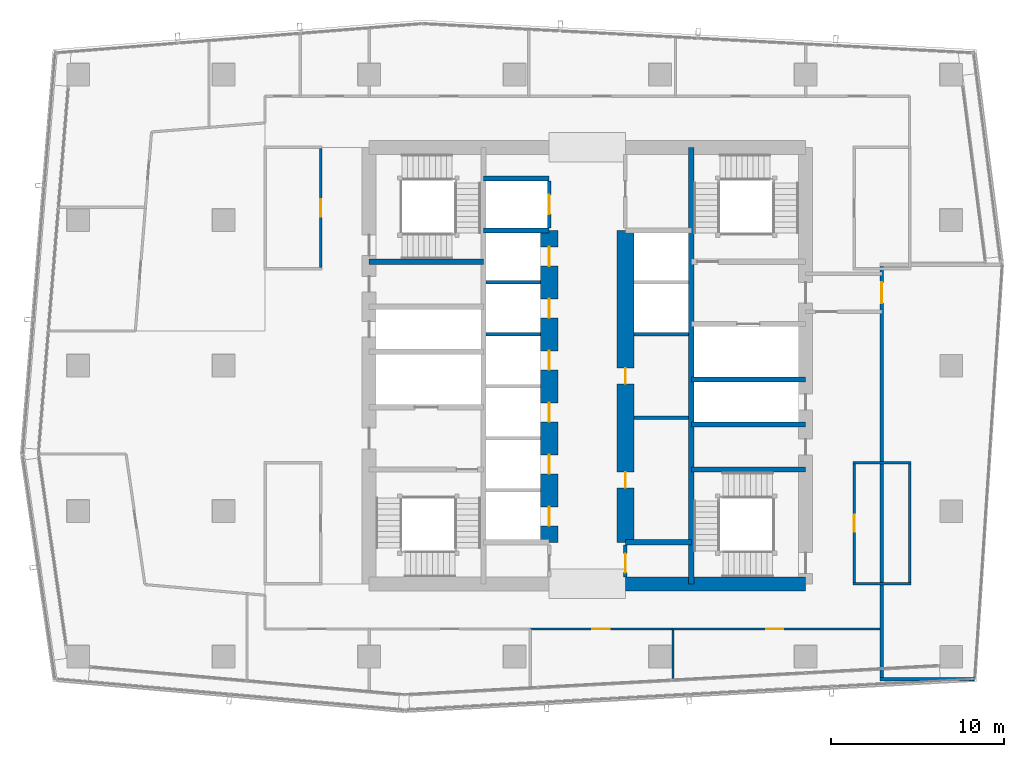
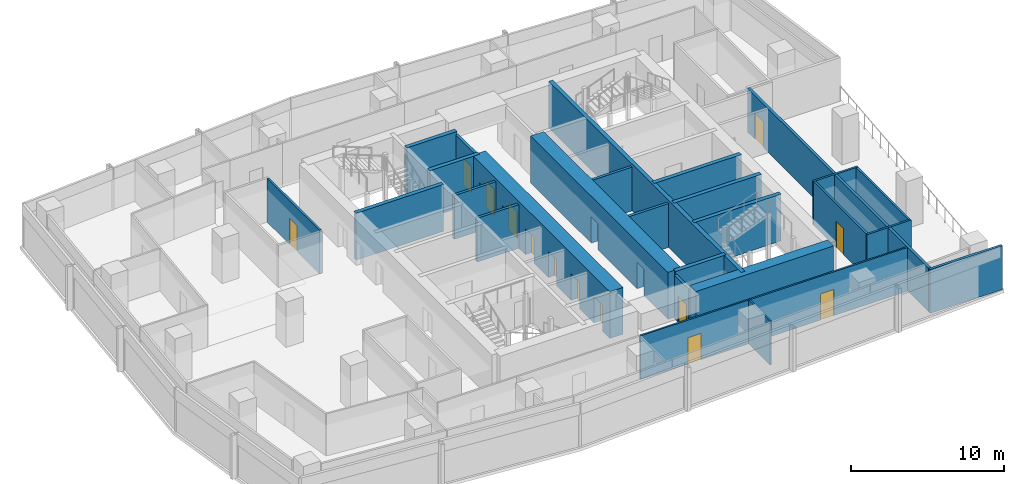
# One storey, part 21 of 28: 27 walls, 15 doors, 15 openings.
"""IFC4 building model written with IfcOpenShell, lengths in metres."""

from ifc_helpers import new_model, si_unit, direction, frame, frame_2d, origin, place, context, subcontext, project, spatial, rectangle, extrude, material, layer, layer_set, type_object, element, fill, save


model = new_model("IFC4")

# Units and contexts
model_context = context("Model", 3, precision=1e-05, world=origin(), true_north=direction((0.0, 1.0)))
body_context = subcontext(model_context, "Body", "Model", "MODEL_VIEW")
ifc_project = project(units=[si_unit("LENGTHUNIT", "METRE"), si_unit("AREAUNIT", "SQUARE_METRE"), si_unit("VOLUMEUNIT", "CUBIC_METRE"), si_unit("PLANEANGLEUNIT", "RADIAN"), si_unit("MASSUNIT", "GRAM", prefix="KILO")], contexts=[model_context])

# Site, building, storey
site_placement = place(None, origin())
site = spatial("IfcSite", under=ifc_project, at=site_placement, CompositionType="ELEMENT")
building_placement = place(site_placement, origin())
building = spatial("IfcBuilding", under=site, at=building_placement, Name="Rekha Terrace Tower", CompositionType="ELEMENT")
storey_placement = place(building_placement, frame((0.0, 0.0, 253.85009765625)))
storey = spatial("IfcBuildingStorey", under=building, at=storey_placement, Name="L64", CompositionType="ELEMENT", Elevation=253.85009765625)

# Walls
ifc_material_1 = material(Name="Concrete M60", Category="concrete")
ifc_layer_1 = layer(ifc_material_1, 0.300048828125)
ifc_layer_set_1 = layer_set([ifc_layer_1], Name="Concrete M60")
wall_type_1 = type_object("IfcWallType", Name="CI5 300 core internal shear wall", PredefinedType="SHEAR", material=ifc_layer_set_1)
wall_1_placement = place(storey_placement, frame((43.800048828125, 21.0, 0.0), z_axis=(0.0, 0.0, 1.0), x_axis=(0.0, 1.0, 0.0)))
element("IfcWall", 1, at=wall_1_placement, inside=storey, type_object=wall_type_1, Name="Core wall X438 L64", PredefinedType="SHEAR", context=body_context, shape_type="SweptSolid", body=[
    extrude(rectangle(XDim=25.199951171875, YDim=0.300048828125, at=frame_2d((12.60009765625, 0.0))), origin(), (0.0, 0.0, 1.0), 3.75),
])
for number, where, z_axis, x_axis, name in (
    (2, (31.800048828125, 41.39990234375, 0.0), (0.0, 0.0, 1.0), (1.0, 0.0, 0.0), "Core wall Y414W L64"),
    (3, (31.800048828125, 44.39990234375, 0.0), (0.0, 0.0, 1.0), (1.0, 0.0, 0.0), "Core wall Y444W L64"),
    (4, (40.0, 23.39990234375, 0.0), (0.0, 0.0, 1.0), (1.0, 0.0, 0.0), "Core wall Y234E L64"),
):
    element("IfcWall", number, at=place(storey_placement, frame(where, z_axis=z_axis, x_axis=x_axis)), inside=storey, type_object=wall_type_1, Name=name, PredefinedType="SHEAR", context=body_context, shape_type="SweptSolid", body=[
        extrude(rectangle(XDim=3.800048828125, YDim=0.300048828125, at=frame_2d((1.89990234375, 0.0))), origin(), (0.0, 0.0, 1.0), 3.75),
    ])
wall_2_placement = place(storey_placement, frame((25.199951171875, 39.60009765625, 0.0), z_axis=(0.0, 0.0, 1.0), x_axis=(1.0, 0.0, 0.0)))
element("IfcWall", 5, at=wall_2_placement, inside=storey, type_object=wall_type_1, Name="Core wall Y396W L64", PredefinedType="SHEAR", context=body_context, shape_type="SweptSolid", body=[
    extrude(rectangle(XDim=6.60009765625, YDim=0.300048828125, at=frame_2d((3.300048828125, 0.0))), origin(), (0.0, 0.0, 1.0), 3.75),
])
for number, where, z_axis, x_axis, name in (
    (6, (43.800048828125, 27.60009765625, 0.0), (0.0, 0.0, 1.0), (1.0, 0.0, 0.0), "Core wall Y276E L64"),
    (7, (43.800048828125, 30.199951171875, 0.0), (0.0, 0.0, 1.0), (1.0, 0.0, 0.0), "Core wall Y302E L64"),
    (8, (43.800048828125, 32.800048828125, 0.0), (0.0, 0.0, 1.0), (1.0, 0.0, 0.0), "Core wall Y328E L64"),
):
    element("IfcWall", number, at=place(storey_placement, frame(where, z_axis=z_axis, x_axis=x_axis)), inside=storey, type_object=wall_type_1, Name=name, PredefinedType="SHEAR", context=body_context, shape_type="SweptSolid", body=[
        extrude(rectangle(XDim=6.599853515625, YDim=0.300048828125, at=frame_2d((3.2998046875, 0.0))), origin(), (0.0, 0.0, 1.0), 3.75),
    ])

# Wall, openings, doors
ifc_layer_2 = layer(ifc_material_1, 1.0)
ifc_layer_set_2 = layer_set([ifc_layer_2], Name="Concrete M60")
wall_type_2 = type_object("IfcWallType", Name="LW5 1000 core lobby wall at an outrigger level", PredefinedType="SHEAR", material=ifc_layer_set_2)
wall_3_placement = place(storey_placement, frame((35.60009765625, 23.39990234375, 0.0), z_axis=(0.0, 0.0, 1.0), x_axis=(0.0, 1.0, 0.0)))
wall_3 = element("IfcWall", 9, at=wall_3_placement, inside=storey, type_object=wall_type_2, Name="Core wall X356 L64", PredefinedType="SHEAR", context=body_context, shape_type="SweptSolid", body=[
    extrude(rectangle(XDim=18.0, YDim=1.0, at=frame_2d((9.0, 0.0))), origin(), (0.0, 0.0, 1.0), 3.75),
])
opening_1_placement = place(wall_3_placement, frame((0.949951171875, 0.0, 0.0)))
opening_1 = element("IfcOpeningElement", 10, at=opening_1_placement, cuts=wall_3, Name="Opening LD1", PredefinedType="OPENING", context=body_context, shape_type="SweptSolid", body=[
    extrude(rectangle(XDim=1.10009765625, YDim=2.10009765625, at=frame_2d((0.550048828125, 1.050048828125))), frame((0.0, 0.510009765625, 0.0), z_axis=(0.0, -1.0, 0.0), x_axis=(1.0, 0.0, 0.0)), (0.0, 0.0, 1.0), 1.02001953125),
])
opening_2_placement = place(wall_3_placement, frame((3.949951171875, 0.0, 0.0)))
opening_2 = element("IfcOpeningElement", 11, at=opening_2_placement, cuts=wall_3, Name="Opening LD1", PredefinedType="OPENING", context=body_context, shape_type="SweptSolid", body=[
    extrude(rectangle(XDim=1.10009765625, YDim=2.10009765625, at=frame_2d((0.550048828125, 1.050048828125))), frame((0.0, 0.510009765625, 0.0), z_axis=(0.0, -1.0, 0.0), x_axis=(1.0, 0.0, 0.0)), (0.0, 0.0, 1.0), 1.02001953125),
])
opening_3_placement = place(wall_3_placement, frame((6.949951171875, 0.0, 0.0)))
opening_3 = element("IfcOpeningElement", 12, at=opening_3_placement, cuts=wall_3, Name="Opening LD1", PredefinedType="OPENING", context=body_context, shape_type="SweptSolid", body=[
    extrude(rectangle(XDim=1.10009765625, YDim=2.10009765625, at=frame_2d((0.550048828125, 1.050048828125))), frame((0.0, 0.510009765625, 0.0), z_axis=(0.0, -1.0, 0.0), x_axis=(1.0, 0.0, 0.0)), (0.0, 0.0, 1.0), 1.02001953125),
])
opening_4_placement = place(wall_3_placement, frame((9.949951171875, 0.0, 0.0)))
opening_4 = element("IfcOpeningElement", 13, at=opening_4_placement, cuts=wall_3, Name="Opening LD1", PredefinedType="OPENING", context=body_context, shape_type="SweptSolid", body=[
    extrude(rectangle(XDim=1.10009765625, YDim=2.10009765625, at=frame_2d((0.550048828125, 1.050048828125))), frame((0.0, 0.510009765625, 0.0), z_axis=(0.0, -1.0, 0.0), x_axis=(1.0, 0.0, 0.0)), (0.0, 0.0, 1.0), 1.02001953125),
])
opening_5_placement = place(wall_3_placement, frame((12.949951171875, 0.0, 0.0)))
opening_5 = element("IfcOpeningElement", 14, at=opening_5_placement, cuts=wall_3, Name="Opening LD1", PredefinedType="OPENING", context=body_context, shape_type="SweptSolid", body=[
    extrude(rectangle(XDim=1.10009765625, YDim=2.10009765625, at=frame_2d((0.550048828125, 1.050048828125))), frame((0.0, 0.510009765625, 0.0), z_axis=(0.0, -1.0, 0.0), x_axis=(1.0, 0.0, 0.0)), (0.0, 0.0, 1.0), 1.02001953125),
])
opening_6_placement = place(wall_3_placement, frame((15.949951171875, 0.0, 0.0)))
opening_6 = element("IfcOpeningElement", 15, at=opening_6_placement, cuts=wall_3, Name="Opening LD1", PredefinedType="OPENING", context=body_context, shape_type="SweptSolid", body=[
    extrude(rectangle(XDim=1.10009765625, YDim=2.10009765625, at=frame_2d((0.550048828125, 1.050048828125))), frame((0.0, 0.510009765625, 0.0), z_axis=(0.0, -1.0, 0.0), x_axis=(1.0, 0.0, 0.0)), (0.0, 0.0, 1.0), 1.02001953125),
])
ifc_material_2 = material(Name="Stainless steel sliding landing door", Category="steel")
door_type_1 = type_object("IfcDoorType", Name="LD1 1100x2100 lift landing door", OperationType="SLIDING_TO_LEFT", PredefinedType="USERDEFINED", material=ifc_material_2)
door_1_placement = place(opening_1_placement, origin())
door_1 = element("IfcDoor", 16, at=door_1_placement, inside=storey, type_object=door_type_1, Name="Lift D1 landing door L64", ObjectType="LIFT LANDING DOOR", OperationType="SLIDING_TO_LEFT", OverallHeight=2.10009765625, OverallWidth=1.10009765625, PredefinedType="USERDEFINED", context=body_context, shape_type="SweptSolid", body=[
    extrude(rectangle(XDim=1.10009765625, YDim=2.10009765625, at=frame_2d((0.550048828125, 1.050048828125))), frame((0.0, 0.02490234375, 0.0), z_axis=(0.0, -1.0, 0.0), x_axis=(1.0, 0.0, 0.0)), (0.0, 0.0, 1.0), 0.050048828125),
])
fill(opening_1, door_1)
door_2_placement = place(opening_2_placement, origin())
door_2 = element("IfcDoor", 17, at=door_2_placement, inside=storey, type_object=door_type_1, Name="Lift D2 landing door L64", ObjectType="LIFT LANDING DOOR", OperationType="SLIDING_TO_LEFT", OverallHeight=2.10009765625, OverallWidth=1.10009765625, PredefinedType="USERDEFINED", context=body_context, shape_type="SweptSolid", body=[
    extrude(rectangle(XDim=1.10009765625, YDim=2.10009765625, at=frame_2d((0.550048828125, 1.050048828125))), frame((0.0, 0.02490234375, 0.0), z_axis=(0.0, -1.0, 0.0), x_axis=(1.0, 0.0, 0.0)), (0.0, 0.0, 1.0), 0.050048828125),
])
fill(opening_2, door_2)
door_3_placement = place(opening_3_placement, origin())
door_3 = element("IfcDoor", 18, at=door_3_placement, inside=storey, type_object=door_type_1, Name="Lift D3 landing door L64", ObjectType="LIFT LANDING DOOR", OperationType="SLIDING_TO_LEFT", OverallHeight=2.10009765625, OverallWidth=1.10009765625, PredefinedType="USERDEFINED", context=body_context, shape_type="SweptSolid", body=[
    extrude(rectangle(XDim=1.10009765625, YDim=2.10009765625, at=frame_2d((0.550048828125, 1.050048828125))), frame((0.0, 0.02490234375, 0.0), z_axis=(0.0, -1.0, 0.0), x_axis=(1.0, 0.0, 0.0)), (0.0, 0.0, 1.0), 0.050048828125),
])
fill(opening_3, door_3)
door_4_placement = place(opening_4_placement, origin())
door_4 = element("IfcDoor", 19, at=door_4_placement, inside=storey, type_object=door_type_1, Name="Lift D4 landing door L64", ObjectType="LIFT LANDING DOOR", OperationType="SLIDING_TO_LEFT", OverallHeight=2.10009765625, OverallWidth=1.10009765625, PredefinedType="USERDEFINED", context=body_context, shape_type="SweptSolid", body=[
    extrude(rectangle(XDim=1.10009765625, YDim=2.10009765625, at=frame_2d((0.550048828125, 1.050048828125))), frame((0.0, 0.02490234375, 0.0), z_axis=(0.0, -1.0, 0.0), x_axis=(1.0, 0.0, 0.0)), (0.0, 0.0, 1.0), 0.050048828125),
])
fill(opening_4, door_4)
door_5_placement = place(opening_5_placement, origin())
door_5 = element("IfcDoor", 20, at=door_5_placement, inside=storey, type_object=door_type_1, Name="Lift D5 landing door L64", ObjectType="LIFT LANDING DOOR", OperationType="SLIDING_TO_LEFT", OverallHeight=2.10009765625, OverallWidth=1.10009765625, PredefinedType="USERDEFINED", context=body_context, shape_type="SweptSolid", body=[
    extrude(rectangle(XDim=1.10009765625, YDim=2.10009765625, at=frame_2d((0.550048828125, 1.050048828125))), frame((0.0, 0.02490234375, 0.0), z_axis=(0.0, -1.0, 0.0), x_axis=(1.0, 0.0, 0.0)), (0.0, 0.0, 1.0), 0.050048828125),
])
fill(opening_5, door_5)
door_6_placement = place(opening_6_placement, origin())
door_6 = element("IfcDoor", 21, at=door_6_placement, inside=storey, type_object=door_type_1, Name="Lift D6 landing door L64", ObjectType="LIFT LANDING DOOR", OperationType="SLIDING_TO_LEFT", OverallHeight=2.10009765625, OverallWidth=1.10009765625, PredefinedType="USERDEFINED", context=body_context, shape_type="SweptSolid", body=[
    extrude(rectangle(XDim=1.10009765625, YDim=2.10009765625, at=frame_2d((0.550048828125, 1.050048828125))), frame((0.0, 0.02490234375, 0.0), z_axis=(0.0, -1.0, 0.0), x_axis=(1.0, 0.0, 0.0)), (0.0, 0.0, 1.0), 0.050048828125),
])
fill(opening_6, door_6)

wall_4_placement = place(storey_placement, frame((40.0, 23.39990234375, 0.0), z_axis=(0.0, 0.0, 1.0), x_axis=(0.0, 1.0, 0.0)))
wall_4 = element("IfcWall", 22, at=wall_4_placement, inside=storey, type_object=wall_type_2, Name="Core wall X400 L64", PredefinedType="SHEAR", context=body_context, shape_type="SweptSolid", body=[
    extrude(rectangle(XDim=18.0, YDim=1.0, at=frame_2d((9.0, 0.0))), origin(), (0.0, 0.0, 1.0), 3.75),
])
opening_7_placement = place(wall_4_placement, frame((3.14990234375, 0.0, 0.0)))
opening_7 = element("IfcOpeningElement", 23, at=opening_7_placement, cuts=wall_4, Name="Opening D5", PredefinedType="OPENING", context=body_context, shape_type="SweptSolid", body=[
    extrude(rectangle(XDim=0.89990234375, YDim=2.10009765625, at=frame_2d((0.449951171875, 1.050048828125))), frame((0.0, 0.510009765625, 0.0), z_axis=(0.0, -1.0, 0.0), x_axis=(1.0, 0.0, 0.0)), (0.0, 0.0, 1.0), 1.02001953125),
])
opening_8_placement = place(wall_4_placement, frame((9.14990234375, 0.0, 0.0)))
opening_8 = element("IfcOpeningElement", 24, at=opening_8_placement, cuts=wall_4, Name="Opening D5", PredefinedType="OPENING", context=body_context, shape_type="SweptSolid", body=[
    extrude(rectangle(XDim=0.89990234375, YDim=2.10009765625, at=frame_2d((0.449951171875, 1.050048828125))), frame((0.0, 0.510009765625, 0.0), z_axis=(0.0, -1.0, 0.0), x_axis=(1.0, 0.0, 0.0)), (0.0, 0.0, 1.0), 1.02001953125),
])
ifc_material_3 = material(Name="Steel fire door", Category="steel")
door_type_2 = type_object("IfcDoorType", Name="D5 900x2100 riser access door", OperationType="SINGLE_SWING_LEFT", PredefinedType="DOOR", material=ifc_material_3)
door_7_placement = place(opening_7_placement, origin())
door_7 = element("IfcDoor", 25, at=door_7_placement, inside=storey, type_object=door_type_2, Name="Door back-of-house store L64", OperationType="SINGLE_SWING_LEFT", OverallHeight=2.10009765625, OverallWidth=0.89990234375, PredefinedType="DOOR", context=body_context, shape_type="SweptSolid", body=[
    extrude(rectangle(XDim=0.89990234375, YDim=2.10009765625, at=frame_2d((0.449951171875, 1.050048828125))), frame((0.0, 0.02490234375, 0.0), z_axis=(0.0, -1.0, 0.0), x_axis=(1.0, 0.0, 0.0)), (0.0, 0.0, 1.0), 0.050048828125),
])
fill(opening_7, door_7)
door_8_placement = place(opening_8_placement, origin())
door_8 = element("IfcDoor", 26, at=door_8_placement, inside=storey, type_object=door_type_2, Name="Door records store L64", OperationType="SINGLE_SWING_LEFT", OverallHeight=2.10009765625, OverallWidth=0.89990234375, PredefinedType="DOOR", context=body_context, shape_type="SweptSolid", body=[
    extrude(rectangle(XDim=0.89990234375, YDim=2.10009765625, at=frame_2d((0.449951171875, 1.050048828125))), frame((0.0, 0.02490234375, 0.0), z_axis=(0.0, -1.0, 0.0), x_axis=(1.0, 0.0, 0.0)), (0.0, 0.0, 1.0), 0.050048828125),
])
fill(opening_8, door_8)

# Wall
ifc_layer_3 = layer(ifc_material_1, 0.800048828125)
ifc_layer_set_3 = layer_set([ifc_layer_3], Name="Concrete M60")
wall_type_3 = type_object("IfcWallType", Name="SW5 800 core outer shear wall", PredefinedType="SHEAR", material=ifc_layer_set_3)
wall_5_placement = place(storey_placement, frame((40.0, 21.0, 0.0), z_axis=(0.0, 0.0, 1.0), x_axis=(1.0, 0.0, 0.0)))
element("IfcWall", 27, at=wall_5_placement, inside=storey, type_object=wall_type_3, Name="Core wall S2 L64", PredefinedType="SHEAR", context=body_context, shape_type="SweptSolid", body=[
    extrude(rectangle(XDim=10.39990234375, YDim=0.800048828125, at=frame_2d((5.199951171875, 0.0))), origin(), (0.0, 0.0, 1.0), 3.75),
])

# Wall, opening, door
ifc_material_4 = material(Name="Concrete block masonry, 1 hour", Category="masonry")
ifc_layer_4 = layer(ifc_material_4, 0.14990234375)
ifc_layer_set_4 = layer_set([ifc_layer_4], Name="Concrete block masonry, 1 hour")
wall_type_4 = type_object("IfcWallType", Name="WP2 150 tenancy partition", PredefinedType="PARTITIONING", material=ifc_layer_set_4)
wall_6_placement = place(storey_placement, frame((22.39990234375, 39.27490234375, 0.0), z_axis=(0.0, 0.0, 1.0), x_axis=(0.0, 1.0, 0.0)))
wall_6 = element("IfcWall", 28, at=wall_6_placement, inside=storey, type_object=wall_type_4, Name="Women's WC wall L64", PredefinedType="PARTITIONING", context=body_context, shape_type="SweptSolid", body=[
    extrude(rectangle(XDim=6.85009765625, YDim=0.14990234375, at=frame_2d((3.425048828125, 0.0))), origin(), (0.0, 0.0, 1.0), 3.5),
])
opening_9_placement = place(wall_6_placement, frame((2.925048828125, 0.0, 0.0)))
opening_9 = element("IfcOpeningElement", 29, at=opening_9_placement, cuts=wall_6, Name="Opening D3", PredefinedType="OPENING", context=body_context, shape_type="SweptSolid", body=[
    extrude(rectangle(XDim=1.0, YDim=2.10009765625, at=frame_2d((0.5, 1.050048828125))), frame((0.0, 0.0849609375, 0.0), z_axis=(0.0, -1.0, 0.0), x_axis=(1.0, 0.0, 0.0)), (0.0, 0.0, 1.0), 0.169921875),
])
ifc_material_5 = material(Name="Laminated timber fire door", Category="wood")
door_type_3 = type_object("IfcDoorType", Name="D3 1000x2100 WC door", OperationType="SINGLE_SWING_LEFT", PredefinedType="DOOR", material=ifc_material_5)
door_9_placement = place(opening_9_placement, origin())
door_9 = element("IfcDoor", 30, at=door_9_placement, inside=storey, type_object=door_type_3, Name="Door women's wc L64", OperationType="SINGLE_SWING_LEFT", OverallHeight=2.10009765625, OverallWidth=1.0, PredefinedType="DOOR", context=body_context, shape_type="SweptSolid", body=[
    extrude(rectangle(XDim=1.0, YDim=2.10009765625, at=frame_2d((0.5, 1.050048828125))), frame((0.0, 0.02490234375, 0.0), z_axis=(0.0, -1.0, 0.0), x_axis=(1.0, 0.0, 0.0)), (0.0, 0.0, 1.0), 0.050048828125),
])
fill(opening_9, door_9)

# Walls
for number, where, z_axis, x_axis, name in (
    (31, (53.125, 21.0, 0.0), (0.0, 0.0, 1.0), (1.0, 0.0, 0.0), "Men's WC wall L64"),
    (32, (53.125, 28.0, 0.0), (0.0, 0.0, 1.0), (1.0, 0.0, 0.0), "Men's WC wall L64"),
):
    element("IfcWall", number, at=place(storey_placement, frame(where, z_axis=z_axis, x_axis=x_axis)), inside=storey, type_object=wall_type_4, Name=name, PredefinedType="PARTITIONING", context=body_context, shape_type="SweptSolid", body=[
        extrude(rectangle(XDim=3.35009765625, YDim=0.14990234375, at=frame_2d((1.675048828125, 0.0))), origin(), (0.0, 0.0, 1.0), 3.5),
    ])

# Wall, opening, door
wall_7_placement = place(storey_placement, frame((53.199951171875, 21.074951171875, 0.0), z_axis=(0.0, 0.0, 1.0), x_axis=(0.0, 1.0, 0.0)))
wall_7 = element("IfcWall", 33, at=wall_7_placement, inside=storey, type_object=wall_type_4, Name="Men's WC wall L64", PredefinedType="PARTITIONING", context=body_context, shape_type="SweptSolid", body=[
    extrude(rectangle(XDim=6.85009765625, YDim=0.14990234375, at=frame_2d((3.425048828125, 0.0))), origin(), (0.0, 0.0, 1.0), 3.5),
])
opening_10_placement = place(wall_7_placement, frame((2.925048828125, 0.0, 0.0)))
opening_10 = element("IfcOpeningElement", 34, at=opening_10_placement, cuts=wall_7, Name="Opening D3", PredefinedType="OPENING", context=body_context, shape_type="SweptSolid", body=[
    extrude(rectangle(XDim=1.0, YDim=2.10009765625, at=frame_2d((0.5, 1.050048828125))), frame((0.0, 0.0849609375, 0.0), z_axis=(0.0, -1.0, 0.0), x_axis=(1.0, 0.0, 0.0)), (0.0, 0.0, 1.0), 0.169921875),
])
door_10_placement = place(opening_10_placement, origin())
door_10 = element("IfcDoor", 35, at=door_10_placement, inside=storey, type_object=door_type_3, Name="Door men's wc L64", OperationType="SINGLE_SWING_LEFT", OverallHeight=2.10009765625, OverallWidth=1.0, PredefinedType="DOOR", context=body_context, shape_type="SweptSolid", body=[
    extrude(rectangle(XDim=1.0, YDim=2.10009765625, at=frame_2d((0.5, 1.050048828125))), frame((0.0, 0.02490234375, 0.0), z_axis=(0.0, -1.0, 0.0), x_axis=(1.0, 0.0, 0.0)), (0.0, 0.0, 1.0), 0.050048828125),
])
fill(opening_10, door_10)

# Walls
wall_8_placement = place(storey_placement, frame((56.39990234375, 21.074951171875, 0.0), z_axis=(0.0, 0.0, 1.0), x_axis=(0.0, 1.0, 0.0)))
element("IfcWall", 36, at=wall_8_placement, inside=storey, type_object=wall_type_4, Name="Men's WC wall L64", PredefinedType="PARTITIONING", context=body_context, shape_type="SweptSolid", body=[
    extrude(rectangle(XDim=6.85009765625, YDim=0.14990234375, at=frame_2d((3.425048828125, 0.0))), origin(), (0.0, 0.0, 1.0), 3.5),
])
ifc_material_6 = material(Name="Two layers of fire-rated gypsum board each side on steel studs, acoustic quilt, 1 hour", Category="steel")
ifc_layer_5 = layer(ifc_material_6, 0.125)
ifc_layer_set_5 = layer_set([ifc_layer_5], Name="Two layers of fire-rated gypsum board each side on steel studs, acoustic quilt, 1 hour")
wall_type_5 = type_object("IfcWallType", Name="WP3 125 office partition", PredefinedType="PARTITIONING", material=ifc_layer_set_5)
wall_9_placement = place(storey_placement, frame((42.741943359375, 15.5380859375, 0.0), z_axis=(0.0, 0.0, 1.0), x_axis=(0.0, 1.0, 0.0)))
element("IfcWall", 37, at=wall_9_placement, inside=storey, type_object=wall_type_5, Name="Partition L64-02", PredefinedType="PARTITIONING", context=body_context, shape_type="SweptSolid", body=[
    extrude(rectangle(XDim=2.798828125, YDim=0.125, at=frame_2d((1.3994140625, 0.0))), origin(), (0.0, 0.0, 1.0), 3.5),
])

# Wall, opening, door
wall_10_placement = place(storey_placement, frame((42.674072265625, 18.39990234375, 0.0), z_axis=(0.0, 0.0, 1.0), x_axis=(1.0, 0.0, 0.0)))
wall_10 = element("IfcWall", 38, at=wall_10_placement, inside=storey, type_object=wall_type_5, Name="Partition L64-02", PredefinedType="PARTITIONING", context=body_context, shape_type="SweptSolid", body=[
    extrude(rectangle(XDim=12.014892578125, YDim=0.125, at=frame_2d((6.00732421875, 0.0))), origin(), (0.0, 0.0, 1.0), 3.5),
])
opening_11_placement = place(wall_10_placement, frame((5.43798828125, 0.0, 0.0)))
opening_11 = element("IfcOpeningElement", 39, at=opening_11_placement, cuts=wall_10, Name="Opening D9", PredefinedType="OPENING", context=body_context, shape_type="SweptSolid", body=[
    extrude(rectangle(XDim=1.0, YDim=2.10009765625, at=frame_2d((0.5, 1.050048828125))), frame((0.0, 0.072509765625, 0.0), z_axis=(0.0, -1.0, 0.0), x_axis=(1.0, 0.0, 0.0)), (0.0, 0.0, 1.0), 0.14501953125),
])
ifc_material_7 = material(Name="Timber fire door", Category="wood")
door_type_4 = type_object("IfcDoorType", Name="D9 1000x2100 office door", OperationType="SINGLE_SWING_LEFT", PredefinedType="DOOR", material=ifc_material_7)
door_11_placement = place(opening_11_placement, origin())
door_11 = element("IfcDoor", 40, at=door_11_placement, inside=storey, type_object=door_type_4, Name="Door director's office L64", OperationType="SINGLE_SWING_LEFT", OverallHeight=2.10009765625, OverallWidth=1.0, PredefinedType="DOOR", context=body_context, shape_type="SweptSolid", body=[
    extrude(rectangle(XDim=1.0, YDim=2.10009765625, at=frame_2d((0.5, 1.050048828125))), frame((0.0, 0.02490234375, 0.0), z_axis=(0.0, -1.0, 0.0), x_axis=(1.0, 0.0, 0.0)), (0.0, 0.0, 1.0), 0.050048828125),
])
fill(opening_11, door_11)

wall_11_placement = place(storey_placement, frame((34.5048828125, 18.39990234375, 0.0), z_axis=(0.0, 0.0, 1.0), x_axis=(1.0, 0.0, 0.0)))
wall_11 = element("IfcWall", 41, at=wall_11_placement, inside=storey, type_object=wall_type_5, Name="Partition L64-11", PredefinedType="PARTITIONING", context=body_context, shape_type="SweptSolid", body=[
    extrude(rectangle(XDim=8.168212890625, YDim=0.125, at=frame_2d((4.083984375, 0.0))), origin(), (0.0, 0.0, 1.0), 3.5),
])
opening_12_placement = place(wall_11_placement, frame((3.583984375, 0.0, 0.0)))
opening_12 = element("IfcOpeningElement", 42, at=opening_12_placement, cuts=wall_11, Name="Opening D9", PredefinedType="OPENING", context=body_context, shape_type="SweptSolid", body=[
    extrude(rectangle(XDim=1.0, YDim=2.10009765625, at=frame_2d((0.5, 1.050048828125))), frame((0.0, 0.072509765625, 0.0), z_axis=(0.0, -1.0, 0.0), x_axis=(1.0, 0.0, 0.0)), (0.0, 0.0, 1.0), 0.14501953125),
])
door_12_placement = place(opening_12_placement, origin())
door_12 = element("IfcDoor", 43, at=door_12_placement, inside=storey, type_object=door_type_4, Name="Door pantry L64", OperationType="SINGLE_SWING_LEFT", OverallHeight=2.10009765625, OverallWidth=1.0, PredefinedType="DOOR", context=body_context, shape_type="SweptSolid", body=[
    extrude(rectangle(XDim=1.0, YDim=2.10009765625, at=frame_2d((0.5, 1.050048828125))), frame((0.0, 0.02490234375, 0.0), z_axis=(0.0, -1.0, 0.0), x_axis=(1.0, 0.0, 0.0)), (0.0, 0.0, 1.0), 0.050048828125),
])
fill(opening_12, door_12)

# Walls
ifc_material_8 = material(Name="Solid concrete block masonry, 2 hour", Category="masonry")
ifc_layer_6 = layer(ifc_material_8, 0.199951171875)
ifc_layer_set_6 = layer_set([ifc_layer_6], Name="Solid concrete block masonry, 2 hour")
wall_type_6 = type_object("IfcWallType", Name="WS1 200 stair and shaft enclosure", PredefinedType="PARTITIONING", material=ifc_layer_set_6)
for number, where, z_axis, x_axis, name in (
    (44, (31.949951171875, 35.39990234375, 0.0), (0.0, 0.0, 1.0), (1.0, 0.0, 0.0), "Lift shaft divider L64"),
    (45, (31.949951171875, 38.39990234375, 0.0), (0.0, 0.0, 1.0), (1.0, 0.0, 0.0), "Lift shaft divider L64"),
):
    element("IfcWall", number, at=place(storey_placement, frame(where, z_axis=z_axis, x_axis=x_axis)), inside=storey, type_object=wall_type_6, Name=name, PredefinedType="PARTITIONING", context=body_context, shape_type="SweptSolid", body=[
        extrude(rectangle(XDim=3.150146484375, YDim=0.199951171875, at=frame_2d((1.5751953125, 0.0))), origin(), (0.0, 0.0, 1.0), 3.5),
    ])
wall_12_placement = place(storey_placement, frame((40.5, 35.39990234375, 0.0), z_axis=(0.0, 0.0, 1.0), x_axis=(1.0, 0.0, 0.0)))
element("IfcWall", 46, at=wall_12_placement, inside=storey, type_object=wall_type_6, Name="Lift shaft divider L64", PredefinedType="PARTITIONING", context=body_context, shape_type="SweptSolid", body=[
    extrude(rectangle(XDim=3.14990234375, YDim=0.199951171875, at=frame_2d((1.574951171875, 0.0))), origin(), (0.0, 0.0, 1.0), 3.5),
])

# Wall, opening, door
wall_13_placement = place(storey_placement, frame((40.0, 21.39990234375, 0.0), z_axis=(0.0, 0.0, 1.0), x_axis=(0.0, 1.0, 0.0)))
wall_13 = element("IfcWall", 47, at=wall_13_placement, inside=storey, type_object=wall_type_6, Name="Core partition wca L64", PredefinedType="PARTITIONING", context=body_context, shape_type="SweptSolid", body=[
    extrude(rectangle(XDim=1.85009765625, YDim=0.199951171875, at=frame_2d((0.925048828125, 0.0))), origin(), (0.0, 0.0, 1.0), 3.5),
])
opening_13_placement = place(wall_13_placement, frame((0.25, 0.0, 0.0)))
opening_13 = element("IfcOpeningElement", 48, at=opening_13_placement, cuts=wall_13, Name="Opening D4", PredefinedType="OPENING", context=body_context, shape_type="SweptSolid", body=[
    extrude(rectangle(XDim=1.10009765625, YDim=2.10009765625, at=frame_2d((0.550048828125, 1.050048828125))), frame((0.0, 0.10986328125, 0.0), z_axis=(0.0, -1.0, 0.0), x_axis=(1.0, 0.0, 0.0)), (0.0, 0.0, 1.0), 0.219970703125),
])
door_type_5 = type_object("IfcDoorType", Name="D4 1100x2100 accessible WC door", OperationType="SLIDING_TO_LEFT", PredefinedType="DOOR", material=ifc_material_5)
door_13_placement = place(opening_13_placement, origin())
door_13 = element("IfcDoor", 49, at=door_13_placement, inside=storey, type_object=door_type_5, Name="Door wca L64", OperationType="SLIDING_TO_LEFT", OverallHeight=2.10009765625, OverallWidth=1.10009765625, PredefinedType="DOOR", context=body_context, shape_type="SweptSolid", body=[
    extrude(rectangle(XDim=1.10009765625, YDim=2.10009765625, at=frame_2d((0.550048828125, 1.050048828125))), frame((0.0, 0.02490234375, 0.0), z_axis=(0.0, -1.0, 0.0), x_axis=(1.0, 0.0, 0.0)), (0.0, 0.0, 1.0), 0.050048828125),
])
fill(opening_13, door_13)

wall_14_placement = place(storey_placement, frame((35.60009765625, 41.550048828125, 0.0), z_axis=(0.0, 0.0, 1.0), x_axis=(0.0, 1.0, 0.0)))
wall_14 = element("IfcWall", 50, at=wall_14_placement, inside=storey, type_object=wall_type_6, Name="Core partition jansv L64", PredefinedType="PARTITIONING", context=body_context, shape_type="SweptSolid", body=[
    extrude(rectangle(XDim=2.699951171875, YDim=0.199951171875, at=frame_2d((1.35009765625, 0.0))), origin(), (0.0, 0.0, 1.0), 3.5),
])
opening_14_placement = place(wall_14_placement, frame((0.800048828125, 0.0, 0.0)))
opening_14 = element("IfcOpeningElement", 51, at=opening_14_placement, cuts=wall_14, Name="Opening LD1", PredefinedType="OPENING", context=body_context, shape_type="SweptSolid", body=[
    extrude(rectangle(XDim=1.10009765625, YDim=2.10009765625, at=frame_2d((0.550048828125, 1.050048828125))), frame((0.0, 0.10986328125, 0.0), z_axis=(0.0, -1.0, 0.0), x_axis=(1.0, 0.0, 0.0)), (0.0, 0.0, 1.0), 0.219970703125),
])
door_14_placement = place(opening_14_placement, origin())
door_14 = element("IfcDoor", 52, at=door_14_placement, inside=storey, type_object=door_type_1, Name="Lift SV1 landing door L64", ObjectType="LIFT LANDING DOOR", OperationType="SLIDING_TO_LEFT", OverallHeight=2.10009765625, OverallWidth=1.10009765625, PredefinedType="USERDEFINED", context=body_context, shape_type="SweptSolid", body=[
    extrude(rectangle(XDim=1.10009765625, YDim=2.10009765625, at=frame_2d((0.550048828125, 1.050048828125))), frame((0.0, 0.02490234375, 0.0), z_axis=(0.0, -1.0, 0.0), x_axis=(1.0, 0.0, 0.0)), (0.0, 0.0, 1.0), 0.050048828125),
])
fill(opening_14, door_14)

# Wall
wall_15_placement = place(storey_placement, frame((40.5, 30.60009765625, 0.0), z_axis=(0.0, 0.0, 1.0), x_axis=(1.0, 0.0, 0.0)))
element("IfcWall", 53, at=wall_15_placement, inside=storey, type_object=wall_type_6, Name="Core partition freed shafts L64", PredefinedType="PARTITIONING", context=body_context, shape_type="SweptSolid", body=[
    extrude(rectangle(XDim=3.14990234375, YDim=0.199951171875, at=frame_2d((1.574951171875, 0.0))), origin(), (0.0, 0.0, 1.0), 3.5),
])

# Wall, opening, door
wall_16_placement = place(storey_placement, frame((54.800048828125, 15.60205078125, 0.0), z_axis=(0.0, 0.0, 1.0), x_axis=(0.0, 1.0, 0.0)))
wall_16 = element("IfcWall", 54, at=wall_16_placement, inside=storey, type_object=wall_type_6, Name="Refuge area inner wall L64", PredefinedType="PARTITIONING", context=body_context, shape_type="SweptSolid", body=[
    extrude(rectangle(XDim=23.73291015625, YDim=0.199951171875, at=frame_2d((11.866455078125, 0.0))), origin(), (0.0, 0.0, 1.0), 3.5),
])
opening_15_placement = place(wall_16_placement, frame((21.597900390625, 0.0, 0.0)))
opening_15 = element("IfcOpeningElement", 55, at=opening_15_placement, cuts=wall_16, Name="Opening D2", PredefinedType="OPENING", context=body_context, shape_type="SweptSolid", body=[
    extrude(rectangle(XDim=1.199951171875, YDim=2.10009765625, at=frame_2d((0.60009765625, 1.050048828125))), frame((0.0, 0.10986328125, 0.0), z_axis=(0.0, -1.0, 0.0), x_axis=(1.0, 0.0, 0.0)), (0.0, 0.0, 1.0), 0.219970703125),
])
door_type_6 = type_object("IfcDoorType", Name="D2 1200x2100 firefighting lobby door", OperationType="SINGLE_SWING_LEFT", PredefinedType="DOOR", material=ifc_material_3)
door_15_placement = place(opening_15_placement, origin())
door_15 = element("IfcDoor", 56, at=door_15_placement, inside=storey, type_object=door_type_6, Name="Refuge area door L64", OperationType="SINGLE_SWING_LEFT", OverallHeight=2.10009765625, OverallWidth=1.199951171875, PredefinedType="DOOR", context=body_context, shape_type="SweptSolid", body=[
    extrude(rectangle(XDim=1.199951171875, YDim=2.10009765625, at=frame_2d((0.60009765625, 1.050048828125))), frame((0.0, 0.02490234375, 0.0), z_axis=(0.0, -1.0, 0.0), x_axis=(1.0, 0.0, 0.0)), (0.0, 0.0, 1.0), 0.050048828125),
])
fill(opening_15, door_15)

# Wall
wall_17_placement = place(storey_placement, frame((54.699951171875, 15.501953125, 0.0), z_axis=(0.0, 0.0, 1.0), x_axis=(1.0, 0.0, 0.0)))
element("IfcWall", 57, at=wall_17_placement, inside=storey, type_object=wall_type_6, Name="Refuge area south wall L64", PredefinedType="PARTITIONING", context=body_context, shape_type="SweptSolid", body=[
    extrude(rectangle(XDim=5.4599609375, YDim=0.199951171875, at=frame_2d((2.72998046875, 0.0))), origin(), (0.0, 0.0, 1.0), 3.5),
])

save(model, "model.ifc")
